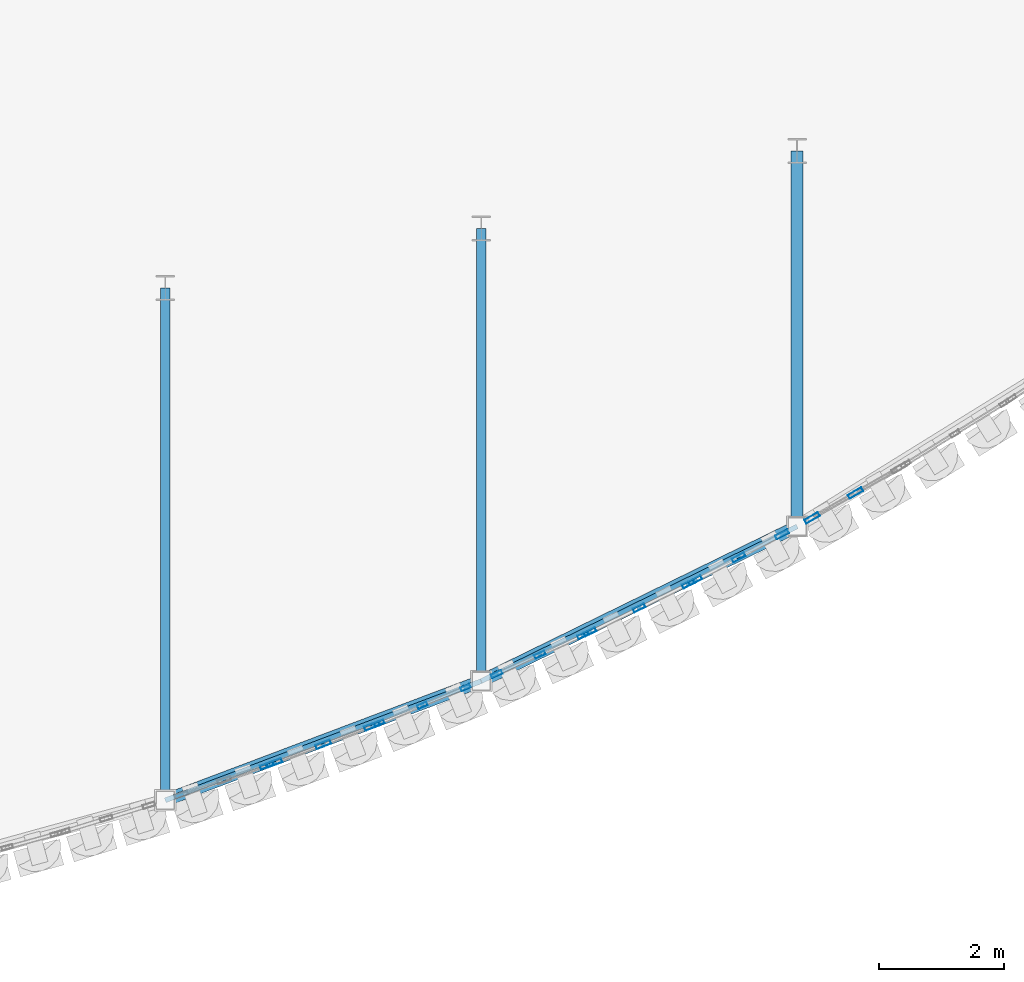
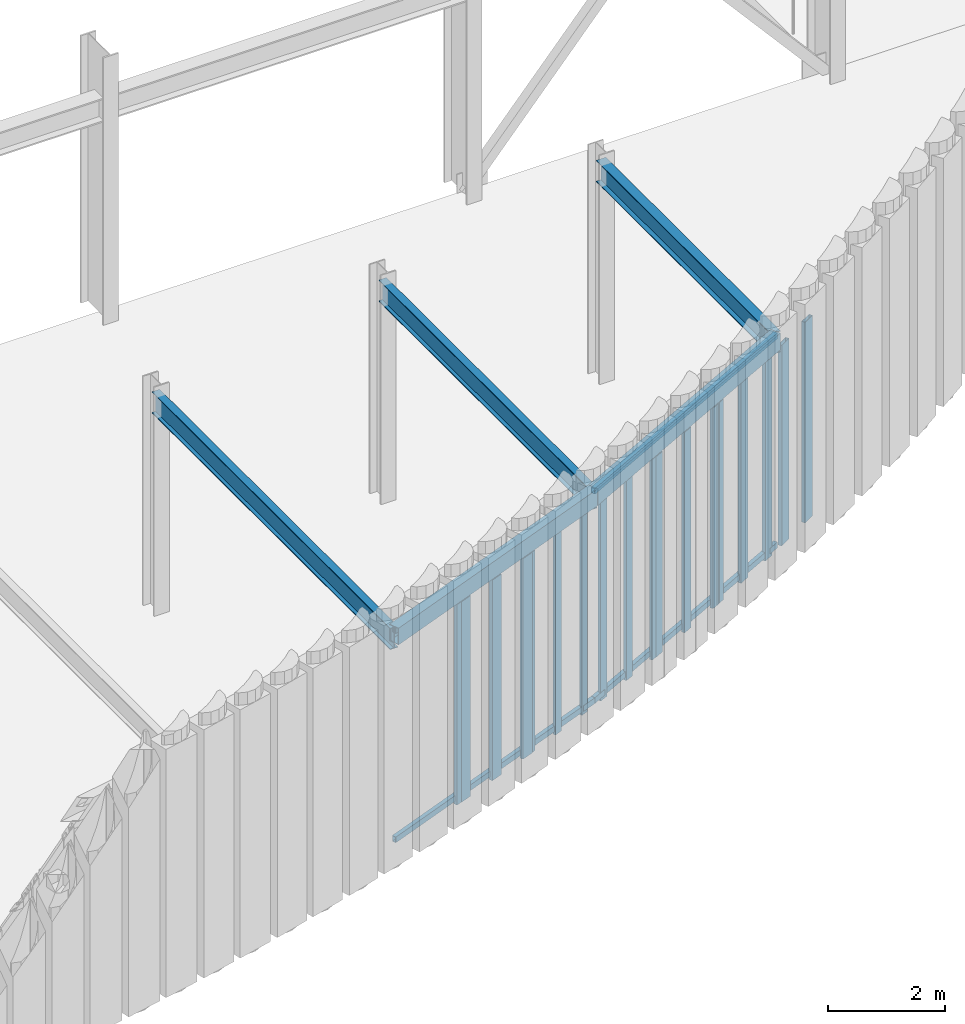
# One storey, part 48 of 126: 22 members, 5 beams, 7 elements without a shape of their own.
"""IFC4 building model written with IfcOpenShell, lengths in metres."""

from ifc_helpers import new_model, si_unit, direction, frame, origin, origin_2d, place, context, subcontext, project, spatial, hollow_rectangle, i_section, extrude, material, layer, layer_set, material_profile, profile_set, type_object, element, aggregate, save


model = new_model("IFC4")

# Units and contexts
model_context = context("Model", 3, precision=1e-05, world=origin(), true_north=direction((0.0, 1.0)))
body_context = subcontext(model_context, "Body", "Model", "MODEL_VIEW")
ifc_project = project(units=[si_unit("LENGTHUNIT", "METRE"), si_unit("AREAUNIT", "SQUARE_METRE"), si_unit("VOLUMEUNIT", "CUBIC_METRE"), si_unit("PLANEANGLEUNIT", "RADIAN"), si_unit("MASSUNIT", "GRAM", prefix="KILO")], contexts=[model_context])

# Site, building, storey
site_placement = place(None, origin())
site = spatial("IfcSite", under=ifc_project, at=site_placement, CompositionType="ELEMENT")
building_placement = place(site_placement, origin())
building = spatial("IfcBuilding", under=site, at=building_placement, Name="Solvadek Multi-Sports Hall", CompositionType="ELEMENT")
storey_placement = place(building_placement, frame((0.0, 0.0, 9.60009765625)))
storey = spatial("IfcBuildingStorey", under=building, at=storey_placement, Name="L02", CompositionType="ELEMENT", Elevation=9.60009765625)

# Curtain wall, members
ifc_material_1 = material(Name="Anodised aluminium", Category="aluminium")
ifc_layer_1 = layer(ifc_material_1, 0.159912109375, Name="Anodised aluminium")
ifc_layer_set_1 = layer_set([ifc_layer_1], Name="Anodised aluminium")
curtain_wall_type_1 = type_object("IfcCurtainWallType", Name="ENV-CW-155X420", PredefinedType="USERDEFINED", material=ifc_layer_set_1)
curtain_wall_1_placement = place(storey_placement, origin())
curtain_wall_1 = element("IfcCurtainWall", 1, at=curtain_wall_1_placement, inside=storey, type_object=curtain_wall_type_1, Name="L02 Crescent Curved Curtain Wall #90", ObjectType="CURTAIN WALL", PredefinedType="USERDEFINED")
ifc_material_profile_1 = material_profile(ifc_material_1, hollow_rectangle(XDim=0.06005859375, YDim=0.159912109375, WallThickness=0.00390625, at=origin_2d()), Name="ALU-M 160x60x4")
ifc_profile_set_1 = profile_set([ifc_material_profile_1], Name="Anodised aluminium")
member_type_1 = type_object("IfcMemberType", Name="ENV-CWM-01", PredefinedType="MULLION", material=ifc_profile_set_1)
member_1_placement = place(storey_placement, frame((115.015380859375, -9.11572265625, 0.0), z_axis=(0.0, 0.0, 1.0), x_axis=(-0.381474507709, 0.924379359337, 0.0)))
member_1 = element("IfcMember", 2, at=member_1_placement, type_object=member_type_1, Name="CW-18 mullion 1", PredefinedType="MULLION", context=body_context, shape_type="SweptSolid", body=[
    extrude(hollow_rectangle(XDim=0.06005859375, YDim=0.159912109375, WallThickness=0.00390625, at=origin_2d()), origin(), (0.0, 0.0, 1.0), 4.199951171875),
])
member_2_placement = place(storey_placement, frame((115.702880859375, -8.83203125, 0.0), z_axis=(0.0, 0.0, 1.0), x_axis=(-0.381474507709, 0.924379359337, 0.0)))
member_2 = element("IfcMember", 3, at=member_2_placement, type_object=member_type_1, Name="CW-18 mullion 2", PredefinedType="MULLION", context=body_context, shape_type="SweptSolid", body=[
    extrude(hollow_rectangle(XDim=0.06005859375, YDim=0.159912109375, WallThickness=0.00390625, at=origin_2d()), origin(), (0.0, 0.0, 1.0), 4.199951171875),
])
member_3_placement = place(storey_placement, frame((116.390380859375, -8.54833984375, 0.0), z_axis=(0.0, 0.0, 1.0), x_axis=(-0.381474507709, 0.924379359337, 0.0)))
member_3 = element("IfcMember", 4, at=member_3_placement, type_object=member_type_1, Name="CW-18 mullion 3", PredefinedType="MULLION", context=body_context, shape_type="SweptSolid", body=[
    extrude(hollow_rectangle(XDim=0.06005859375, YDim=0.159912109375, WallThickness=0.00390625, at=origin_2d()), origin(), (0.0, 0.0, 1.0), 4.199951171875),
])
aggregate(curtain_wall_1, [member_1, member_2, member_3])

ifc_layer_2 = layer(ifc_material_1, 0.159912109375, Name="Anodised aluminium")
ifc_layer_set_2 = layer_set([ifc_layer_2], Name="Anodised aluminium")
curtain_wall_type_2 = type_object("IfcCurtainWallType", Name="ENV-CW-157X420", PredefinedType="USERDEFINED", material=ifc_layer_set_2)
curtain_wall_2_placement = place(storey_placement, origin())
curtain_wall_2 = element("IfcCurtainWall", 5, at=curtain_wall_2_placement, inside=storey, type_object=curtain_wall_type_2, Name="L02 Crescent Curved Curtain Wall #92", ObjectType="CURTAIN WALL", PredefinedType="USERDEFINED")
ifc_material_profile_2 = material_profile(ifc_material_1, hollow_rectangle(XDim=0.06005859375, YDim=0.179931640625, WallThickness=0.00390625, at=origin_2d()), Name="ALU-M 180x60x4")
ifc_profile_set_2 = profile_set([ifc_material_profile_2], Name="Anodised aluminium")
member_type_2 = type_object("IfcMemberType", Name="ENV-CWM-02", PredefinedType="MULLION", material=ifc_profile_set_2)
member_4_placement = place(storey_placement, frame((116.88623046875, -8.33447265625, 0.0), z_axis=(0.0, 0.0, 1.0), x_axis=(-0.410383190297, 0.911913174114, 0.0)))
member_4 = element("IfcMember", 6, at=member_4_placement, type_object=member_type_2, Name="CW-17 mullion 1", PredefinedType="MULLION", context=body_context, shape_type="SweptSolid", body=[
    extrude(hollow_rectangle(XDim=0.06005859375, YDim=0.179931640625, WallThickness=0.00390625, at=origin_2d()), origin(), (0.0, 0.0, 1.0), 4.199951171875),
])
member_5_placement = place(storey_placement, frame((117.57568359375, -8.024169921875, 0.0), z_axis=(0.0, 0.0, 1.0), x_axis=(-0.410383190297, 0.911913174114, 0.0)))
member_5 = element("IfcMember", 7, at=member_5_placement, type_object=member_type_2, Name="CW-17 mullion 2", PredefinedType="MULLION", context=body_context, shape_type="SweptSolid", body=[
    extrude(hollow_rectangle(XDim=0.06005859375, YDim=0.179931640625, WallThickness=0.00390625, at=origin_2d()), origin(), (0.0, 0.0, 1.0), 4.199951171875),
])
member_6_placement = place(storey_placement, frame((118.26513671875, -7.7138671875, 0.0), z_axis=(0.0, 0.0, 1.0), x_axis=(-0.410383190297, 0.911913174114, 0.0)))
member_6 = element("IfcMember", 8, at=member_6_placement, type_object=member_type_2, Name="CW-17 mullion 3", PredefinedType="MULLION", context=body_context, shape_type="SweptSolid", body=[
    extrude(hollow_rectangle(XDim=0.06005859375, YDim=0.179931640625, WallThickness=0.00390625, at=origin_2d()), origin(), (0.0, 0.0, 1.0), 4.199951171875),
])
aggregate(curtain_wall_2, [member_4, member_5, member_6])

ifc_layer_3 = layer(ifc_material_1, 0.159912109375, Name="Anodised aluminium")
ifc_layer_set_3 = layer_set([ifc_layer_3], Name="Anodised aluminium")
curtain_wall_type_3 = type_object("IfcCurtainWallType", Name="ENV-CW-181X420", PredefinedType="USERDEFINED", material=ifc_layer_set_3)
curtain_wall_3_placement = place(storey_placement, origin())
curtain_wall_3 = element("IfcCurtainWall", 9, at=curtain_wall_3_placement, inside=storey, type_object=curtain_wall_type_3, Name="L02 Crescent Curved Curtain Wall #94", ObjectType="CURTAIN WALL", PredefinedType="USERDEFINED")
ifc_material_profile_3 = material_profile(ifc_material_1, hollow_rectangle(XDim=0.06494140625, YDim=0.199951171875, WallThickness=0.0048828125, at=origin_2d()), Name="ALU-M 200x65x5")
ifc_profile_set_3 = profile_set([ifc_material_profile_3], Name="Anodised aluminium")
member_type_3 = type_object("IfcMemberType", Name="ENV-CWM-03", PredefinedType="MULLION", material=ifc_profile_set_3)
member_7_placement = place(storey_placement, frame((118.376220703125, -7.661865234375, 0.0), z_axis=(0.0, 0.0, 1.0), x_axis=(-0.439239859901, 0.898369826672, 0.0)))
member_7 = element("IfcMember", 10, at=member_7_placement, type_object=member_type_3, Name="CW-16 mullion 1", PredefinedType="MULLION", context=body_context, shape_type="SweptSolid", body=[
    extrude(hollow_rectangle(XDim=0.06494140625, YDim=0.199951171875, WallThickness=0.0048828125, at=origin_2d()), origin(), (0.0, 0.0, 1.0), 4.199951171875),
])
member_8_placement = place(storey_placement, frame((119.159912109375, -7.278564453125, 0.0), z_axis=(0.0, 0.0, 1.0), x_axis=(-0.439239859901, 0.898369826672, 0.0)))
member_8 = element("IfcMember", 11, at=member_8_placement, type_object=member_type_3, Name="CW-16 mullion 2", PredefinedType="MULLION", context=body_context, shape_type="SweptSolid", body=[
    extrude(hollow_rectangle(XDim=0.06494140625, YDim=0.199951171875, WallThickness=0.0048828125, at=origin_2d()), origin(), (0.0, 0.0, 1.0), 4.199951171875),
])
member_9_placement = place(storey_placement, frame((119.94384765625, -6.895263671875, 0.0), z_axis=(0.0, 0.0, 1.0), x_axis=(-0.439239859901, 0.898369826672, 0.0)))
member_9 = element("IfcMember", 12, at=member_9_placement, type_object=member_type_3, Name="CW-16 mullion 3", PredefinedType="MULLION", context=body_context, shape_type="SweptSolid", body=[
    extrude(hollow_rectangle(XDim=0.06494140625, YDim=0.199951171875, WallThickness=0.0048828125, at=origin_2d()), origin(), (0.0, 0.0, 1.0), 4.199951171875),
])
aggregate(curtain_wall_3, [member_7, member_8, member_9])

# Curtain wall, member
ifc_layer_4 = layer(ifc_material_1, 0.159912109375, Name="Anodised aluminium")
ifc_layer_set_4 = layer_set([ifc_layer_4], Name="Anodised aluminium")
curtain_wall_type_4 = type_object("IfcCurtainWallType", Name="ENV-CW-151X420", PredefinedType="USERDEFINED", material=ifc_layer_set_4)
curtain_wall_4_placement = place(storey_placement, origin())
curtain_wall_4 = element("IfcCurtainWall", 13, at=curtain_wall_4_placement, inside=storey, type_object=curtain_wall_type_4, Name="L02 Crescent Curved Curtain Wall #86", ObjectType="CURTAIN WALL", PredefinedType="USERDEFINED")
ifc_material_profile_4 = material_profile(ifc_material_1, hollow_rectangle(XDim=0.06494140625, YDim=0.219970703125, WallThickness=0.0048828125, at=origin_2d()), Name="ALU-M 220x65x5")
ifc_profile_set_4 = profile_set([ifc_material_profile_4], Name="Anodised aluminium")
member_type_4 = type_object("IfcMemberType", Name="ENV-CWM-04", PredefinedType="MULLION", material=ifc_profile_set_4)
member_10_placement = place(storey_placement, frame((113.220947265625, -9.7919921875, 0.0), z_axis=(0.0, 0.0, 1.0), x_axis=(-0.323729927138, 0.946149530611, 0.0)))
member_10 = element("IfcMember", 14, at=member_10_placement, type_object=member_type_4, Name="CW-20 mullion 3", PredefinedType="MULLION", context=body_context, shape_type="SweptSolid", body=[
    extrude(hollow_rectangle(XDim=0.06494140625, YDim=0.219970703125, WallThickness=0.0048828125, at=origin_2d()), origin(), (0.0, 0.0, 1.0), 4.199951171875),
])
aggregate(curtain_wall_4, [member_10])

# Curtain wall, members
ifc_layer_5 = layer(ifc_material_1, 0.159912109375, Name="Anodised aluminium")
ifc_layer_set_5 = layer_set([ifc_layer_5], Name="Anodised aluminium")
curtain_wall_type_5 = type_object("IfcCurtainWallType", Name="ENV-CW-163X420", PredefinedType="USERDEFINED", material=ifc_layer_set_5)
curtain_wall_5_placement = place(storey_placement, origin())
curtain_wall_5 = element("IfcCurtainWall", 15, at=curtain_wall_5_placement, inside=storey, type_object=curtain_wall_type_5, Name="L02 Crescent Curved Curtain Wall #96", ObjectType="CURTAIN WALL", PredefinedType="USERDEFINED")
member_11_placement = place(storey_placement, frame((120.05517578125, -6.838623046875, 0.0), z_axis=(0.0, 0.0, 1.0), x_axis=(-0.468129943014, 0.883659638353, 0.0)))
member_11 = element("IfcMember", 16, at=member_11_placement, type_object=member_type_4, Name="CW-15 mullion 1", PredefinedType="MULLION", context=body_context, shape_type="SweptSolid", body=[
    extrude(hollow_rectangle(XDim=0.06494140625, YDim=0.219970703125, WallThickness=0.0048828125, at=origin_2d()), origin(), (0.0, 0.0, 1.0), 4.199951171875),
])
member_12_placement = place(storey_placement, frame((120.747314453125, -6.47216796875, 0.0), z_axis=(0.0, 0.0, 1.0), x_axis=(-0.468129943014, 0.883659638353, 0.0)))
member_12 = element("IfcMember", 17, at=member_12_placement, type_object=member_type_4, Name="CW-15 mullion 2", PredefinedType="MULLION", context=body_context, shape_type="SweptSolid", body=[
    extrude(hollow_rectangle(XDim=0.06494140625, YDim=0.219970703125, WallThickness=0.0048828125, at=origin_2d()), origin(), (0.0, 0.0, 1.0), 4.199951171875),
])
member_13_placement = place(storey_placement, frame((121.439208984375, -6.10546875, 0.0), z_axis=(0.0, 0.0, 1.0), x_axis=(-0.468129943014, 0.883659638353, 0.0)))
member_13 = element("IfcMember", 18, at=member_13_placement, type_object=member_type_4, Name="CW-15 mullion 3", PredefinedType="MULLION", context=body_context, shape_type="SweptSolid", body=[
    extrude(hollow_rectangle(XDim=0.06494140625, YDim=0.219970703125, WallThickness=0.0048828125, at=origin_2d()), origin(), (0.0, 0.0, 1.0), 4.199951171875),
])
aggregate(curtain_wall_5, [member_11, member_12, member_13])

ifc_layer_6 = layer(ifc_material_1, 0.159912109375, Name="Anodised aluminium")
ifc_layer_set_6 = layer_set([ifc_layer_6], Name="Anodised aluminium")
curtain_wall_type_6 = type_object("IfcCurtainWallType", Name="ENV-CW-174X420", PredefinedType="USERDEFINED", material=ifc_layer_set_6)
curtain_wall_6_placement = place(storey_placement, origin())
curtain_wall_6 = element("IfcCurtainWall", 19, at=curtain_wall_6_placement, inside=storey, type_object=curtain_wall_type_6, Name="L02 Crescent Curved Curtain Wall #88", ObjectType="CURTAIN WALL", PredefinedType="USERDEFINED")
ifc_material_profile_5 = material_profile(ifc_material_1, hollow_rectangle(XDim=0.070068359375, YDim=0.25, WallThickness=0.0048828125, at=origin_2d()), Name="ALU-M 250x70x5")
ifc_profile_set_5 = profile_set([ifc_material_profile_5], Name="Anodised aluminium")
member_type_5 = type_object("IfcMemberType", Name="ENV-CWM-05", PredefinedType="MULLION", material=ifc_profile_set_5)
member_14_placement = place(storey_placement, frame((113.3408203125, -9.748779296875, 0.0), z_axis=(0.0, 0.0, 1.0), x_axis=(-0.352626055108, 0.935764321429, 0.0)))
member_14 = element("IfcMember", 20, at=member_14_placement, type_object=member_type_5, Name="CW-12 mullion 1", PredefinedType="MULLION", context=body_context, shape_type="SweptSolid", body=[
    extrude(hollow_rectangle(XDim=0.070068359375, YDim=0.25, WallThickness=0.0048828125, at=origin_2d()), origin(), (0.0, 0.0, 1.0), 4.199951171875),
])
member_15_placement = place(storey_placement, frame((114.1201171875, -9.455078125, 0.0), z_axis=(0.0, 0.0, 1.0), x_axis=(-0.352626055108, 0.935764321429, 0.0)))
member_15 = element("IfcMember", 21, at=member_15_placement, type_object=member_type_5, Name="CW-12 mullion 2", PredefinedType="MULLION", context=body_context, shape_type="SweptSolid", body=[
    extrude(hollow_rectangle(XDim=0.070068359375, YDim=0.25, WallThickness=0.0048828125, at=origin_2d()), origin(), (0.0, 0.0, 1.0), 4.199951171875),
])
member_16_placement = place(storey_placement, frame((114.899169921875, -9.16162109375, 0.0), z_axis=(0.0, 0.0, 1.0), x_axis=(-0.352626055108, 0.935764321429, 0.0)))
member_16 = element("IfcMember", 22, at=member_16_placement, type_object=member_type_5, Name="CW-12 mullion 3", PredefinedType="MULLION", context=body_context, shape_type="SweptSolid", body=[
    extrude(hollow_rectangle(XDim=0.070068359375, YDim=0.25, WallThickness=0.0048828125, at=origin_2d()), origin(), (0.0, 0.0, 1.0), 4.199951171875),
])
aggregate(curtain_wall_6, [member_14, member_15, member_16])

ifc_layer_7 = layer(ifc_material_1, 0.159912109375, Name="Anodised aluminium")
ifc_layer_set_7 = layer_set([ifc_layer_7], Name="Anodised aluminium")
curtain_wall_type_7 = type_object("IfcCurtainWallType", Name="ENV-CW-167X420", PredefinedType="USERDEFINED", material=ifc_layer_set_7)
curtain_wall_7_placement = place(storey_placement, origin())
curtain_wall_7 = element("IfcCurtainWall", 23, at=curtain_wall_7_placement, inside=storey, type_object=curtain_wall_type_7, Name="L02 Crescent Curved Curtain Wall #98", ObjectType="CURTAIN WALL", PredefinedType="USERDEFINED")
member_17_placement = place(storey_placement, frame((121.918701171875, -5.84130859375, 0.0), z_axis=(0.0, 0.0, 1.0), x_axis=(-0.496991951402, 0.867755149937, 0.0)))
member_17 = element("IfcMember", 24, at=member_17_placement, type_object=member_type_5, Name="CW-30 mullion 1", PredefinedType="MULLION", context=body_context, shape_type="SweptSolid", body=[
    extrude(hollow_rectangle(XDim=0.070068359375, YDim=0.25, WallThickness=0.0048828125, at=origin_2d()), origin(), (0.0, 0.0, 1.0), 4.199951171875),
])
member_18_placement = place(storey_placement, frame((122.611083984375, -5.444580078125, 0.0), z_axis=(0.0, 0.0, 1.0), x_axis=(-0.496991951402, 0.867755149937, 0.0)))
member_18 = element("IfcMember", 25, at=member_18_placement, type_object=member_type_5, Name="CW-30 mullion 2", PredefinedType="MULLION", context=body_context, shape_type="SweptSolid", body=[
    extrude(hollow_rectangle(XDim=0.070068359375, YDim=0.25, WallThickness=0.0048828125, at=origin_2d()), origin(), (0.0, 0.0, 1.0), 4.199951171875),
])
aggregate(curtain_wall_7, [member_17, member_18])

# Beams
ifc_material_2 = material(Name="Steel E350 (350 MPa)", Category="steel")
ifc_material_profile_6 = material_profile(ifc_material_2, i_section(OverallWidth=0.14990234375, OverallDepth=0.449951171875, WebThickness=0.009521484375, FlangeThickness=0.017333984375, at=origin_2d()), Name="ISMB 450")
ifc_profile_set_6 = profile_set([ifc_material_profile_6], Name="Steel E350 (350 MPa)")
beam_type_1 = type_object("IfcBeamType", Name="STR-BM-ISMB450", PredefinedType="BEAM", material=ifc_profile_set_6)
beam_1_placement = place(storey_placement, frame((111.60009765625, -10.346435546875, 4.3349609375), z_axis=(0.0, 1.0, 0.0), x_axis=(-1.0, 0.0, 0.0)))
element("IfcBeam", 26, at=beam_1_placement, inside=storey, type_object=beam_type_1, Name="L02 Girder B-09 #1592", PredefinedType="BEAM", context=body_context, shape_type="SweptSolid", body=[
    extrude(i_section(OverallWidth=0.14990234375, OverallDepth=0.449951171875, WebThickness=0.009521484375, FlangeThickness=0.017333984375, at=origin_2d()), origin(), (0.0, 0.0, 1.0), 8.173095703125),
])
beam_2_placement = place(storey_placement, frame((116.639892578125, -8.4453125, 4.3349609375), z_axis=(0.0, 1.0, 0.0), x_axis=(-1.0, 0.0, 0.0)))
element("IfcBeam", 27, at=beam_2_placement, inside=storey, type_object=beam_type_1, Name="L02 Girder B-09 #1593", PredefinedType="BEAM", context=body_context, shape_type="SweptSolid", body=[
    extrude(i_section(OverallWidth=0.14990234375, OverallDepth=0.449951171875, WebThickness=0.009521484375, FlangeThickness=0.017333984375, at=origin_2d()), origin(), (0.0, 0.0, 1.0), 7.22265625),
])
ifc_material_profile_7 = material_profile(ifc_material_2, i_section(OverallWidth=0.18994140625, OverallDepth=0.449951171875, WebThickness=0.009521484375, FlangeThickness=0.0146484375, at=origin_2d()), Name="NPB 450")
ifc_profile_set_7 = profile_set([ifc_material_profile_7], Name="Steel E350 (350 MPa)")
beam_type_2 = type_object("IfcBeamType", Name="STR-BM-NPB450", PredefinedType="BEAM", material=ifc_profile_set_7)
beam_3_placement = place(storey_placement, frame((121.679931640625, -5.97802734375, 4.3349609375), z_axis=(0.0, 1.0, 0.0), x_axis=(-1.0, 0.0, 0.0)))
element("IfcBeam", 28, at=beam_3_placement, inside=storey, type_object=beam_type_2, Name="L02 Girder B-08 #1594", PredefinedType="BEAM", context=body_context, shape_type="SweptSolid", body=[
    extrude(i_section(OverallWidth=0.18994140625, OverallDepth=0.449951171875, WebThickness=0.009521484375, FlangeThickness=0.0146484375, at=origin_2d()), origin(), (0.0, 0.0, 1.0), 5.989013671875),
])
ifc_material_profile_8 = material_profile(ifc_material_2, hollow_rectangle(XDim=0.199951171875, YDim=0.35009765625, WallThickness=0.011962890625, at=origin_2d()), Name="RHS 350x200x12")
ifc_profile_set_8 = profile_set([ifc_material_profile_8], Name="Steel E350 (350 MPa)")
beam_type_3 = type_object("IfcBeamType", Name="STR-SPN-RHS350", PredefinedType="SPANDREL", material=ifc_profile_set_8)
beam_4_placement = place(storey_placement, frame((111.60009765625, -10.346435546875, 4.40478515625), z_axis=(0.935643802821, 0.35294571005, 0.0), x_axis=(-0.35294571005, 0.935643802821, 0.0)))
element("IfcBeam", 29, at=beam_4_placement, inside=storey, type_object=beam_type_3, Name="L02 Curved Crescent Spandrel #72", PredefinedType="SPANDREL", context=body_context, shape_type="SweptSolid", body=[
    extrude(hollow_rectangle(XDim=0.199951171875, YDim=0.35009765625, WallThickness=0.011962890625, at=origin_2d()), origin(), (0.0, 0.0, 1.0), 5.386474609375),
])
beam_5_placement = place(storey_placement, frame((116.639892578125, -8.4453125, 4.40478515625), z_axis=(0.898154583189, 0.43967982066, 0.0), x_axis=(-0.43967982066, 0.898154583189, 0.0)))
element("IfcBeam", 30, at=beam_5_placement, inside=storey, type_object=beam_type_3, Name="L02 Curved Crescent Spandrel #73", PredefinedType="SPANDREL", context=body_context, shape_type="SweptSolid", body=[
    extrude(hollow_rectangle(XDim=0.199951171875, YDim=0.35009765625, WallThickness=0.011962890625, at=origin_2d()), origin(), (0.0, 0.0, 1.0), 5.611572265625),
])

# Members
ifc_material_3 = material(Name="Steel E250 (250 MPa)", Category="steel")
ifc_material_profile_9 = material_profile(ifc_material_3, hollow_rectangle(XDim=0.080078125, YDim=0.1201171875, WallThickness=0.006103515625, at=origin_2d()), Name="RHS 120x80x6")
ifc_profile_set_9 = profile_set([ifc_material_profile_9], Name="Steel E250 (250 MPa)")
member_type_6 = type_object("IfcMemberType", Name="STR-STD-RHS120", PredefinedType="STUD", material=ifc_profile_set_9)
for number, where, z_axis, x_axis, name in (
    (31, (111.60009765625, -10.346435546875, 0.119873046875), (0.935643802821, 0.35294571005, 0.0), (-0.35294571005, 0.935643802821, 0.0), "L02 Flute Subframe Rail E-6 bot"),
    (32, (111.60009765625, -10.346435546875, 4.5), (0.935643802821, 0.35294571005, 0.0), (-0.35294571005, 0.935643802821, 0.0), "L02 Flute Subframe Rail E-6 top"),
):
    element("IfcMember", number, at=place(storey_placement, frame(where, z_axis=z_axis, x_axis=x_axis)), inside=storey, type_object=member_type_6, Name=name, PredefinedType="STUD", context=body_context, shape_type="SweptSolid", body=[
        extrude(hollow_rectangle(XDim=0.080078125, YDim=0.1201171875, WallThickness=0.006103515625, at=origin_2d()), origin(), (0.0, 0.0, 1.0), 5.386474609375),
    ])
for number, where, z_axis, x_axis, name in (
    (33, (116.639892578125, -8.4453125, 0.119873046875), (0.898154583189, 0.43967982066, 0.0), (-0.43967982066, 0.898154583189, 0.0), "L02 Flute Subframe Rail E-7 bot"),
    (34, (116.639892578125, -8.4453125, 4.5), (0.898154583189, 0.43967982066, 0.0), (-0.43967982066, 0.898154583189, 0.0), "L02 Flute Subframe Rail E-7 top"),
):
    element("IfcMember", number, at=place(storey_placement, frame(where, z_axis=z_axis, x_axis=x_axis)), inside=storey, type_object=member_type_6, Name=name, PredefinedType="STUD", context=body_context, shape_type="SweptSolid", body=[
        extrude(hollow_rectangle(XDim=0.080078125, YDim=0.1201171875, WallThickness=0.006103515625, at=origin_2d()), origin(), (0.0, 0.0, 1.0), 5.611572265625),
    ])

save(model, "model.ifc")
